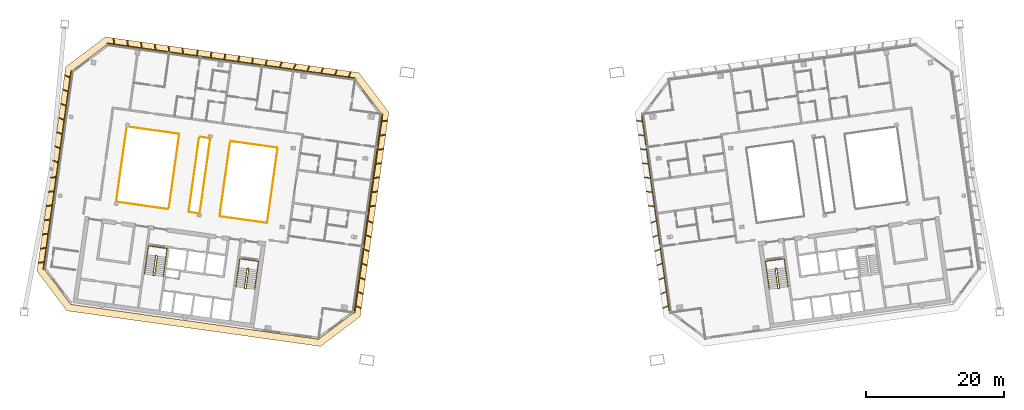
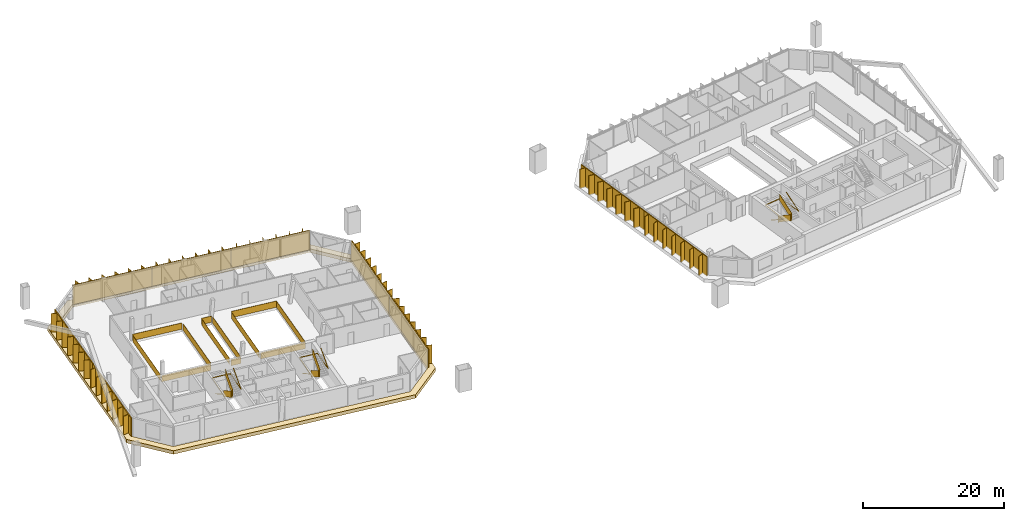
# One storey, part 18 of 19: 16 railings, 9 shading devices, 1 covering.
"""IFC4 building model written with IfcOpenShell, lengths in metres."""

from ifc_helpers import new_model, si_unit, direction, frame, origin, origin_2d, place, context, subcontext, project, spatial, polyline, rectangle, outline, extrude, material, layer, layer_set, type_object, element, save


model = new_model("IFC4")

# Units and contexts
model_context = context("Model", 3, precision=1e-05, world=origin(), true_north=direction((0.0, 1.0)))
body_context = subcontext(model_context, "Body", "Model", "MODEL_VIEW")
ifc_project = project(units=[si_unit("LENGTHUNIT", "METRE"), si_unit("AREAUNIT", "SQUARE_METRE"), si_unit("VOLUMEUNIT", "CUBIC_METRE"), si_unit("PLANEANGLEUNIT", "RADIAN"), si_unit("MASSUNIT", "GRAM", prefix="KILO")], contexts=[model_context])

# Site, building, storey
site_placement = place(None, origin())
site = spatial("IfcSite", under=ifc_project, at=site_placement, CompositionType="ELEMENT")
building_placement = place(site_placement, origin())
building = spatial("IfcBuilding", under=site, at=building_placement, Name="Mirante Cascada Hotel Towers", CompositionType="ELEMENT")
storey_placement = place(building_placement, frame((0.0, 0.0, 239.4)))
storey = spatial("IfcBuildingStorey", under=building, at=storey_placement, Name="L57", CompositionType="ELEMENT", Elevation=239.4)

# Railings
ifc_material_1 = material(Name="Toughened glass with stainless steel handrail", Category="steel")
railing_type_1 = type_object("IfcRailingType", Name="Atrium guard 1100 glass balustrade", PredefinedType="GUARDRAIL", material=ifc_material_1)
railing_1_placement = place(storey_placement, frame((-40.7189, 7.1811, 0.0)))
element("IfcRailing", 1, at=railing_1_placement, inside=storey, type_object=railing_type_1, Name="GUARD 1-L57-1", PredefinedType="GUARDRAIL", context=body_context, shape_type="SweptSolid", body=[
    extrude(rectangle(XDim=0.048, YDim=0.048, at=origin_2d()), frame((0.0, 0.0, 1.076), z_axis=(0.9902687, -0.1391684, 0.0), x_axis=(0.1391684, 0.9902687, 0.0)), (0.0, 0.0, 1.0), 6.8924),
    extrude(rectangle(XDim=0.02, YDim=1.052, at=origin_2d()), frame((0.0, 0.0, 0.526), z_axis=(0.9902687, -0.1391684, 0.0), x_axis=(0.1391684, 0.9902687, 0.0)), (0.0, 0.0, 1.0), 6.8924),
    extrude(rectangle(XDim=0.048, YDim=0.048, at=origin_2d()), frame((6.8253, -0.9592, 1.076), z_axis=(-0.1391733, -0.990268, 0.0), x_axis=(0.990268, -0.1391733, 0.0)), (0.0, 0.0, 1.0), 11.0),
    extrude(rectangle(XDim=0.02, YDim=1.052, at=origin_2d()), frame((6.8253, -0.9592, 0.526), z_axis=(-0.1391733, -0.990268, 0.0), x_axis=(0.990268, -0.1391733, 0.0)), (0.0, 0.0, 1.0), 11.0),
    extrude(rectangle(XDim=0.048, YDim=0.048, at=origin_2d()), frame((5.2944, -11.8521, 1.076), z_axis=(-0.9902687, 0.1391684, 0.0), x_axis=(-0.1391684, -0.9902687, 0.0)), (0.0, 0.0, 1.0), 6.8924),
    extrude(rectangle(XDim=0.02, YDim=1.052, at=origin_2d()), frame((5.2944, -11.8521, 0.526), z_axis=(-0.9902687, 0.1391684, 0.0), x_axis=(-0.1391684, -0.9902687, 0.0)), (0.0, 0.0, 1.0), 6.8924),
])
railing_2_placement = place(storey_placement, frame((-45.2207, -3.2943, 0.0)))
element("IfcRailing", 2, at=railing_2_placement, inside=storey, type_object=railing_type_1, Name="GUARD 1-L57-2", PredefinedType="GUARDRAIL", context=body_context, shape_type="SweptSolid", body=[
    extrude(rectangle(XDim=0.048, YDim=0.048, at=origin_2d()), frame((0.0, 0.0, 1.076), z_axis=(-0.9902679, 0.1391746, 0.0), x_axis=(-0.1391746, -0.9902679, 0.0)), (0.0, 0.0, 1.0), 1.5269),
    extrude(rectangle(XDim=0.02, YDim=1.052, at=origin_2d()), frame((0.0, 0.0, 0.526), z_axis=(-0.9902679, 0.1391746, 0.0), x_axis=(-0.1391746, -0.9902679, 0.0)), (0.0, 0.0, 1.0), 1.5269),
])
railing_3_placement = place(storey_placement, frame((-45.2018, 7.8112, 0.0)))
element("IfcRailing", 3, at=railing_3_placement, inside=storey, type_object=railing_type_1, Name="GUARD 1-L57-3", PredefinedType="GUARDRAIL", context=body_context, shape_type="SweptSolid", body=[
    extrude(rectangle(XDim=0.048, YDim=0.048, at=origin_2d()), frame((0.0, 0.0, 1.076), z_axis=(0.9902691, -0.1391655, 0.0), x_axis=(0.1391655, 0.9902691, 0.0)), (0.0, 0.0, 1.0), 1.527),
    extrude(rectangle(XDim=0.02, YDim=1.052, at=origin_2d()), frame((0.0, 0.0, 0.526), z_axis=(0.9902691, -0.1391655, 0.0), x_axis=(0.1391655, 0.9902691, 0.0)), (0.0, 0.0, 1.0), 1.527),
    extrude(rectangle(XDim=0.048, YDim=0.048, at=origin_2d()), frame((1.5121, -0.2125, 1.076), z_axis=(-1.0, 0.0, 0.0), x_axis=(0.0, -1.0, 0.0)), (0.0, 0.0, 1.0), 0.0001),
    extrude(rectangle(XDim=0.02, YDim=1.052, at=origin_2d()), frame((1.5121, -0.2125, 0.526), z_axis=(-1.0, 0.0, 0.0), x_axis=(0.0, -1.0, 0.0)), (0.0, 0.0, 1.0), 0.0001),
])
railing_4_placement = place(storey_placement, frame((-49.7035, -2.6643, 0.0)))
element("IfcRailing", 4, at=railing_4_placement, inside=storey, type_object=railing_type_1, Name="GUARD 1-L57-4", PredefinedType="GUARDRAIL", context=body_context, shape_type="SweptSolid", body=[
    extrude(rectangle(XDim=0.048, YDim=0.048, at=origin_2d()), frame((0.0, 0.0, 1.076), z_axis=(-0.9902667, 0.1391827, 0.0), x_axis=(-0.1391827, -0.9902667, 0.0)), (0.0, 0.0, 1.0), 7.5807),
    extrude(rectangle(XDim=0.02, YDim=1.052, at=origin_2d()), frame((0.0, 0.0, 0.526), z_axis=(-0.9902667, 0.1391827, 0.0), x_axis=(-0.1391827, -0.9902667, 0.0)), (0.0, 0.0, 1.0), 7.5807),
    extrude(rectangle(XDim=0.048, YDim=0.048, at=origin_2d()), frame((-7.5069, 1.0551, 1.076), z_axis=(0.9899495, -0.1414214, 0.0), x_axis=(0.1414214, 0.9899495, 0.0)), (0.0, 0.0, 1.0), 0.0269),
    extrude(rectangle(XDim=0.02, YDim=1.052, at=origin_2d()), frame((-7.5069, 1.0551, 0.526), z_axis=(0.9899495, -0.1414214, 0.0), x_axis=(0.1414214, 0.9899495, 0.0)), (0.0, 0.0, 1.0), 0.0269),
])
railing_5_placement = place(storey_placement, frame((-55.6529, 9.28, 0.0)))
element("IfcRailing", 5, at=railing_5_placement, inside=storey, type_object=railing_type_1, Name="GUARD 1-L57-5", PredefinedType="GUARDRAIL", context=body_context, shape_type="SweptSolid", body=[
    extrude(rectangle(XDim=0.048, YDim=0.048, at=origin_2d()), frame((0.0, 0.0, 1.076), z_axis=(-0.9904641, 0.1377713, 0.0), x_axis=(-0.1377713, -0.9904641, 0.0)), (0.0, 0.0, 1.0), 0.0269),
    extrude(rectangle(XDim=0.02, YDim=1.052, at=origin_2d()), frame((0.0, 0.0, 0.526), z_axis=(-0.9904641, 0.1377713, 0.0), x_axis=(-0.1377713, -0.9904641, 0.0)), (0.0, 0.0, 1.0), 0.0269),
    extrude(rectangle(XDim=0.048, YDim=0.048, at=origin_2d()), frame((-0.0266, 0.0037, 1.076), z_axis=(0.9902685, -0.1391697, 0.0), x_axis=(0.1391697, 0.9902685, 0.0)), (0.0, 0.0, 1.0), 7.5807),
    extrude(rectangle(XDim=0.02, YDim=1.052, at=origin_2d()), frame((-0.0266, 0.0037, 0.526), z_axis=(0.9902685, -0.1391697, 0.0), x_axis=(0.1391697, 0.9902685, 0.0)), (0.0, 0.0, 1.0), 7.5807),
])
railing_6_placement = place(storey_placement, frame((-55.7701, 8.998, 0.0)))
element("IfcRailing", 6, at=railing_6_placement, inside=storey, type_object=railing_type_1, Name="GUARD 1-L57-6", PredefinedType="GUARDRAIL", context=body_context, shape_type="SweptSolid", body=[
    extrude(rectangle(XDim=0.048, YDim=0.048, at=origin_2d()), frame((0.0, 0.0, 1.076), z_axis=(-0.1391776, -0.9902674, 0.0), x_axis=(0.9902674, -0.1391776, 0.0)), (0.0, 0.0, 1.0), 10.409),
    extrude(rectangle(XDim=0.02, YDim=1.052, at=origin_2d()), frame((0.0, 0.0, 0.526), z_axis=(-0.1391776, -0.9902674, 0.0), x_axis=(0.9902674, -0.1391776, 0.0)), (0.0, 0.0, 1.0), 10.409),
])
railing_7_placement = place(storey_placement, frame((-49.6138, -2.3783, 0.0)))
element("IfcRailing", 7, at=railing_7_placement, inside=storey, type_object=railing_type_1, Name="GUARD 1-L57-7", PredefinedType="GUARDRAIL", context=body_context, shape_type="SweptSolid", body=[
    extrude(rectangle(XDim=0.048, YDim=0.048, at=origin_2d()), frame((0.0, 0.0, 1.076), z_axis=(0.1391721, 0.9902682, 0.0), x_axis=(-0.9902682, 0.1391721, 0.0)), (0.0, 0.0, 1.0), 10.4087),
    extrude(rectangle(XDim=0.02, YDim=1.052, at=origin_2d()), frame((0.0, 0.0, 0.526), z_axis=(0.1391721, 0.9902682, 0.0), x_axis=(-0.9902682, 0.1391721, 0.0)), (0.0, 0.0, 1.0), 10.4087),
])
railing_8_placement = place(storey_placement, frame((-45.2915, 7.5252, 0.0)))
element("IfcRailing", 8, at=railing_8_placement, inside=storey, type_object=railing_type_1, Name="GUARD 1-L57-8", PredefinedType="GUARDRAIL", context=body_context, shape_type="SweptSolid", body=[
    extrude(rectangle(XDim=0.048, YDim=0.048, at=origin_2d()), frame((0.0, 0.0, 1.076), z_axis=(-0.1391721, -0.9902682, 0.0), x_axis=(0.9902682, -0.1391721, 0.0)), (0.0, 0.0, 1.0), 10.4087),
    extrude(rectangle(XDim=0.02, YDim=1.052, at=origin_2d()), frame((0.0, 0.0, 0.526), z_axis=(-0.1391721, -0.9902682, 0.0), x_axis=(0.9902682, -0.1391721, 0.0)), (0.0, 0.0, 1.0), 10.4087),
])
railing_9_placement = place(storey_placement, frame((-45.1309, -3.0084, 0.0)))
element("IfcRailing", 9, at=railing_9_placement, inside=storey, type_object=railing_type_1, Name="GUARD 1-L57-9", PredefinedType="GUARDRAIL", context=body_context, shape_type="SweptSolid", body=[
    extrude(rectangle(XDim=0.048, YDim=0.048, at=origin_2d()), frame((0.0, 0.0, 1.076), z_axis=(0.1391708, 0.9902684, 0.0), x_axis=(-0.9902684, 0.1391708, 0.0)), (0.0, 0.0, 1.0), 10.4088),
    extrude(rectangle(XDim=0.02, YDim=1.052, at=origin_2d()), frame((0.0, 0.0, 0.526), z_axis=(0.1391708, 0.9902684, 0.0), x_axis=(-0.9902684, 0.1391708, 0.0)), (0.0, 0.0, 1.0), 10.4088),
])
railing_10_placement = place(storey_placement, frame((-40.8087, 6.8952, 0.0)))
element("IfcRailing", 10, at=railing_10_placement, inside=storey, type_object=railing_type_1, Name="GUARD 1-L57-10", PredefinedType="GUARDRAIL", context=body_context, shape_type="SweptSolid", body=[
    extrude(rectangle(XDim=0.048, YDim=0.048, at=origin_2d()), frame((0.0, 0.0, 1.076), z_axis=(-0.1391721, -0.9902682, 0.0), x_axis=(0.9902682, -0.1391721, 0.0)), (0.0, 0.0, 1.0), 10.4087),
    extrude(rectangle(XDim=0.02, YDim=1.052, at=origin_2d()), frame((0.0, 0.0, 0.526), z_axis=(-0.1391721, -0.9902682, 0.0), x_axis=(0.9902682, -0.1391721, 0.0)), (0.0, 0.0, 1.0), 10.4087),
])

# Covering
ifc_material_2 = material(Name="Precast concrete C40/50 white", Category="concrete")
ifc_layer = layer(ifc_material_2, 0.6)
ifc_layer_set = layer_set([ifc_layer], Name="Precast concrete SUNSHADE band 1000x600")
covering_type = type_object("IfcCoveringType", Name="Precast concrete SUNSHADE band 1000x600", PredefinedType="CLADDING", material=ifc_layer_set)
covering_placement = place(storey_placement, frame((0.0, 0.0, -0.45)))
element("IfcCovering", 11, at=covering_placement, inside=storey, type_object=covering_type, Name="Precast concrete SUNSHADE band T1 L57", PredefinedType="CLADDING", context=body_context, shape_type="SweptSolid", body=[
    extrude(outline(polyline([(-68.7156, -11.6197), (-64.5643, 17.9185), (-58.8202, 22.247), (-22.137, 17.0915), (-17.8085, 11.3474), (-21.9599, -18.1908), (-27.704, -22.5192), (-64.3871, -17.3638), (-68.7156, -11.6197)]), holes=[polyline([(-18.8565, 11.0764), (-22.6864, 16.1589), (-58.5492, 21.199), (-63.6316, 17.3691), (-67.6677, -11.3487), (-63.8377, -16.4311), (-27.975, -21.4713), (-22.8925, -17.6414), (-18.8565, 11.0764)])]), origin(), (0.0, 0.0, 1.0), 0.6),
])

# Railings
ifc_material_3 = material(Name="Painted steel", Category="steel")
railing_type_2 = type_object("IfcRailingType", Name="Stair guard 1100 steel balustrade", PredefinedType="GUARDRAIL", material=ifc_material_3)
railing_11_placement = place(storey_placement, frame((-38.1178, -11.2603, 0.0)))
element("IfcRailing", 12, at=railing_11_placement, inside=storey, type_object=railing_type_2, Name="L57 ST1-A stair guard 1", PredefinedType="GUARDRAIL", context=body_context, shape_type="SweptSolid", body=[
    extrude(rectangle(XDim=0.048, YDim=0.048, at=origin_2d()), frame((0.0, 0.0, 1.076), z_axis=(-0.9903326, 0.1387133, 0.0), x_axis=(-0.1387133, -0.9903326, 0.0)), (0.0, 0.0, 1.0), 0.1499),
    extrude(rectangle(XDim=0.02, YDim=1.052, at=origin_2d()), frame((0.0, 0.0, 0.526), z_axis=(-0.9903326, 0.1387133, 0.0), x_axis=(-0.1387133, -0.9903326, 0.0)), (0.0, 0.0, 1.0), 0.1499),
    extrude(rectangle(XDim=0.048, YDim=0.048, at=origin_2d()), frame((-0.1485, 0.0208, 1.076), z_axis=(-0.7991505, -0.6011309, 0.0), x_axis=(0.6011309, -0.7991505, 0.0)), (0.0, 0.9254529, 0.3788627), 0.1866),
    extrude(rectangle(XDim=0.02, YDim=1.052, at=origin_2d()), frame((-0.1485, 0.0208, 0.526), z_axis=(-0.7991505, -0.6011309, 0.0), x_axis=(0.6011309, -0.7991505, 0.0)), (0.0, 0.9254529, 0.3788627), 0.1866),
    extrude(rectangle(XDim=0.048, YDim=0.048, at=origin_2d()), frame((-0.205, -0.0217, 1.2487), z_axis=(-0.139176, -0.9902677, 0.0), x_axis=(0.9902677, -0.139176, 0.0)), (0.0, 0.5250212, 0.8510891), 3.29),
    extrude(rectangle(XDim=0.02, YDim=1.052, at=origin_2d()), frame((-0.205, -0.0217, 0.6987), z_axis=(-0.139176, -0.9902677, 0.0), x_axis=(0.9902677, -0.139176, 0.0)), (0.0, 0.5250212, 0.8510891), 3.29),
    extrude(rectangle(XDim=0.048, YDim=0.048, at=origin_2d()), frame((-0.5947, -2.7945, 2.976), z_axis=(0.9270311, -0.3749843, 0.0), x_axis=(0.3749843, 0.9270311, 0.0)), (0.0, 0.0, 1.0), 0.2061),
    extrude(rectangle(XDim=0.02, YDim=1.052, at=origin_2d()), frame((-0.5947, -2.7945, 2.426), z_axis=(0.9270311, -0.3749843, 0.0), x_axis=(0.3749843, 0.9270311, 0.0)), (0.0, 0.0, 1.0), 0.2061),
    extrude(rectangle(XDim=0.048, YDim=0.048, at=origin_2d()), frame((-0.4036, -2.8718, 2.976), z_axis=(-0.9902408, 0.1393672, 0.0), x_axis=(-0.1393672, -0.9902408, 0.0)), (0.0, 0.0, 1.0), 0.15),
    extrude(rectangle(XDim=0.02, YDim=1.052, at=origin_2d()), frame((-0.4036, -2.8718, 2.426), z_axis=(-0.9902408, 0.1393672, 0.0), x_axis=(-0.1393672, -0.9902408, 0.0)), (0.0, 0.0, 1.0), 0.15),
    extrude(rectangle(XDim=0.048, YDim=0.048, at=origin_2d()), frame((-0.5521, -2.8509, 2.976), z_axis=(0.9944948, 0.1047858, 0.0), x_axis=(-0.1047858, 0.9944948, 0.0)), (0.0, 0.6422034, 0.7665343), 0.2689),
    extrude(rectangle(XDim=0.02, YDim=1.052, at=origin_2d()), frame((-0.5521, -2.8509, 2.426), z_axis=(0.9944948, 0.1047858, 0.0), x_axis=(-0.1047858, 0.9944948, 0.0)), (0.0, 0.6422034, 0.7665343), 0.2689),
    extrude(rectangle(XDim=0.048, YDim=0.048, at=origin_2d()), frame((-0.3471, -2.8293, 3.1487), z_axis=(0.139176, 0.9902677, 0.0), x_axis=(-0.9902677, 0.139176, 0.0)), (0.0, 0.5250212, 0.8510891), 3.29),
    extrude(rectangle(XDim=0.02, YDim=1.052, at=origin_2d()), frame((-0.3471, -2.8293, 2.5987), z_axis=(0.139176, 0.9902677, 0.0), x_axis=(-0.9902677, 0.139176, 0.0)), (0.0, 0.5250212, 0.8510891), 3.29),
])
railing_12_placement = place(storey_placement, frame((-51.3379, -9.4024, 0.0)))
element("IfcRailing", 13, at=railing_12_placement, inside=storey, type_object=railing_type_2, Name="L57 ST1-B stair guard 1", PredefinedType="GUARDRAIL", context=body_context, shape_type="SweptSolid", body=[
    extrude(rectangle(XDim=0.048, YDim=0.048, at=origin_2d()), frame((0.0, 0.0, 1.076), z_axis=(-0.9902408, 0.1393672, 0.0), x_axis=(-0.1393672, -0.9902408, 0.0)), (0.0, 0.0, 1.0), 0.15),
    extrude(rectangle(XDim=0.02, YDim=1.052, at=origin_2d()), frame((0.0, 0.0, 0.526), z_axis=(-0.9902408, 0.1393672, 0.0), x_axis=(-0.1393672, -0.9902408, 0.0)), (0.0, 0.0, 1.0), 0.15),
    extrude(rectangle(XDim=0.048, YDim=0.048, at=origin_2d()), frame((-0.1485, 0.0209, 1.076), z_axis=(-0.7984711, -0.6020331, 0.0), x_axis=(0.6020331, -0.7984711, 0.0)), (0.0, 0.9253398, 0.3791387), 0.1866),
    extrude(rectangle(XDim=0.02, YDim=1.052, at=origin_2d()), frame((-0.1485, 0.0209, 0.526), z_axis=(-0.7984711, -0.6020331, 0.0), x_axis=(0.6020331, -0.7984711, 0.0)), (0.0, 0.9253398, 0.3791387), 0.1866),
    extrude(rectangle(XDim=0.048, YDim=0.048, at=origin_2d()), frame((-0.205, -0.0217, 1.2487), z_axis=(-0.139181, -0.990267, 0.0), x_axis=(0.990267, -0.139181, 0.0)), (0.0, 0.5250347, 0.8510808), 3.2899),
    extrude(rectangle(XDim=0.02, YDim=1.052, at=origin_2d()), frame((-0.205, -0.0217, 0.6987), z_axis=(-0.139181, -0.990267, 0.0), x_axis=(0.990267, -0.139181, 0.0)), (0.0, 0.5250347, 0.8510808), 3.2899),
    extrude(rectangle(XDim=0.048, YDim=0.048, at=origin_2d()), frame((-0.5947, -2.7944, 2.976), z_axis=(0.9268624, -0.3754011, 0.0), x_axis=(0.3754011, 0.9268624, 0.0)), (0.0, 0.0, 1.0), 0.2062),
    extrude(rectangle(XDim=0.02, YDim=1.052, at=origin_2d()), frame((-0.5947, -2.7944, 2.426), z_axis=(0.9268624, -0.3754011, 0.0), x_axis=(0.3754011, 0.9268624, 0.0)), (0.0, 0.0, 1.0), 0.2062),
    extrude(rectangle(XDim=0.048, YDim=0.048, at=origin_2d()), frame((-0.4036, -2.8718, 2.976), z_axis=(-0.9902408, 0.1393672, 0.0), x_axis=(-0.1393672, -0.9902408, 0.0)), (0.0, 0.0, 1.0), 0.15),
    extrude(rectangle(XDim=0.02, YDim=1.052, at=origin_2d()), frame((-0.4036, -2.8718, 2.426), z_axis=(-0.9902408, 0.1393672, 0.0), x_axis=(-0.1393672, -0.9902408, 0.0)), (0.0, 0.0, 1.0), 0.15),
    extrude(rectangle(XDim=0.048, YDim=0.048, at=origin_2d()), frame((-0.5521, -2.8509, 2.976), z_axis=(0.9944441, 0.1052656, 0.0), x_axis=(-0.1052656, 0.9944441, 0.0)), (0.0, 0.6421842, 0.7665504), 0.2689),
    extrude(rectangle(XDim=0.02, YDim=1.052, at=origin_2d()), frame((-0.5521, -2.8509, 2.426), z_axis=(0.9944441, 0.1052656, 0.0), x_axis=(-0.1052656, 0.9944441, 0.0)), (0.0, 0.6421842, 0.7665504), 0.2689),
    extrude(rectangle(XDim=0.048, YDim=0.048, at=origin_2d()), frame((-0.3471, -2.8292, 3.1487), z_axis=(0.139181, 0.990267, 0.0), x_axis=(-0.990267, 0.139181, 0.0)), (0.0, 0.5250347, 0.8510808), 3.2899),
    extrude(rectangle(XDim=0.02, YDim=1.052, at=origin_2d()), frame((-0.3471, -2.8292, 2.5987), z_axis=(0.139181, 0.990267, 0.0), x_axis=(-0.990267, 0.139181, 0.0)), (0.0, 0.5250347, 0.8510808), 3.2899),
])
railing_13_placement = place(storey_placement, frame((38.2663, -11.2395, 0.0)))
element("IfcRailing", 14, at=railing_13_placement, inside=storey, type_object=railing_type_2, Name="L57 ST2-A stair guard 1", PredefinedType="GUARDRAIL", context=body_context, shape_type="SweptSolid", body=[
    extrude(rectangle(XDim=0.048, YDim=0.048, at=origin_2d()), frame((0.0, 0.0, 1.076), z_axis=(-0.9903326, -0.1387133, 0.0), x_axis=(0.1387133, -0.9903326, 0.0)), (0.0, 0.0, 1.0), 0.1499),
    extrude(rectangle(XDim=0.02, YDim=1.052, at=origin_2d()), frame((0.0, 0.0, 0.526), z_axis=(-0.9903326, -0.1387133, 0.0), x_axis=(0.1387133, -0.9903326, 0.0)), (0.0, 0.0, 1.0), 0.1499),
    extrude(rectangle(XDim=0.048, YDim=0.048, at=origin_2d()), frame((-0.1485, -0.0208, 1.076), z_axis=(-0.6020331, -0.7984711, 0.0), x_axis=(0.7984711, -0.6020331, 0.0)), (0.0, 0.9253398, 0.3791387), 0.1866),
    extrude(rectangle(XDim=0.02, YDim=1.052, at=origin_2d()), frame((-0.1485, -0.0208, 0.526), z_axis=(-0.6020331, -0.7984711, 0.0), x_axis=(0.7984711, -0.6020331, 0.0)), (0.0, 0.9253398, 0.3791387), 0.1866),
    extrude(rectangle(XDim=0.048, YDim=0.048, at=origin_2d()), frame((-0.1911, -0.0773, 1.2487), z_axis=(0.139176, -0.9902677, 0.0), x_axis=(0.9902677, 0.139176, 0.0)), (0.0, 0.5250212, 0.8510891), 3.29),
    extrude(rectangle(XDim=0.02, YDim=1.052, at=origin_2d()), frame((-0.1911, -0.0773, 0.6987), z_axis=(0.139176, -0.9902677, 0.0), x_axis=(0.9902677, 0.139176, 0.0)), (0.0, 0.5250212, 0.8510891), 3.29),
    extrude(rectangle(XDim=0.048, YDim=0.048, at=origin_2d()), frame((0.1986, -2.8501, 2.976), z_axis=(0.9944948, -0.1047858, 0.0), x_axis=(0.1047858, 0.9944948, 0.0)), (0.0, 0.0, 1.0), 0.2061),
    extrude(rectangle(XDim=0.02, YDim=1.052, at=origin_2d()), frame((0.1986, -2.8501, 2.426), z_axis=(0.9944948, -0.1047858, 0.0), x_axis=(0.1047858, 0.9944948, 0.0)), (0.0, 0.0, 1.0), 0.2061),
    extrude(rectangle(XDim=0.048, YDim=0.048, at=origin_2d()), frame((0.4036, -2.8717, 2.976), z_axis=(-0.9902408, -0.1393672, 0.0), x_axis=(0.1393672, -0.9902408, 0.0)), (0.0, 0.0, 1.0), 0.15),
    extrude(rectangle(XDim=0.02, YDim=1.052, at=origin_2d()), frame((0.4036, -2.8717, 2.426), z_axis=(-0.9902408, -0.1393672, 0.0), x_axis=(0.1393672, -0.9902408, 0.0)), (0.0, 0.0, 1.0), 0.15),
    extrude(rectangle(XDim=0.048, YDim=0.048, at=origin_2d()), frame((0.2551, -2.8926, 2.976), z_axis=(0.9270311, 0.3749843, 0.0), x_axis=(-0.3749843, 0.9270311, 0.0)), (0.0, 0.6421903, 0.7665452), 0.2689),
    extrude(rectangle(XDim=0.02, YDim=1.052, at=origin_2d()), frame((0.2551, -2.8926, 2.426), z_axis=(0.9270311, 0.3749843, 0.0), x_axis=(-0.3749843, 0.9270311, 0.0)), (0.0, 0.6421903, 0.7665452), 0.2689),
    extrude(rectangle(XDim=0.048, YDim=0.048, at=origin_2d()), frame((0.4462, -2.8153, 3.1487), z_axis=(-0.139176, 0.9902677, 0.0), x_axis=(-0.9902677, -0.139176, 0.0)), (0.0, 0.5250212, 0.8510891), 3.29),
    extrude(rectangle(XDim=0.02, YDim=1.052, at=origin_2d()), frame((0.4462, -2.8153, 2.5987), z_axis=(-0.139176, 0.9902677, 0.0), x_axis=(-0.9902677, -0.139176, 0.0)), (0.0, 0.5250212, 0.8510891), 3.29),
])
ifc_material_4 = material(Name="Painted steel", Category="steel")
railing_type_3 = type_object("IfcRailingType", Name="Stair handrail 900 steel tube", PredefinedType="HANDRAIL", material=ifc_material_4)
railing_14_placement = place(storey_placement, frame((-39.5606, -11.1081, 0.1727)))
element("IfcRailing", 15, at=railing_14_placement, inside=storey, type_object=railing_type_3, Name="L57 ST1-A stair handrail 1", PredefinedType="HANDRAIL", context=body_context, shape_type="SweptSolid", body=[
    extrude(rectangle(XDim=0.048, YDim=0.048, at=origin_2d()), frame((0.0, 0.0, 0.876), z_axis=(-0.139181, -0.990267, 0.0), x_axis=(0.990267, -0.139181, 0.0)), (0.0, 0.5250347, 0.8510808), 3.2899),
    extrude(rectangle(XDim=0.048, YDim=0.048, at=origin_2d()), frame((-0.3897, -2.7727, 2.6033), z_axis=(0.1391707, 0.9902684, 0.0), x_axis=(-0.9902684, 0.1391707, 0.0)), (0.0, 0.0420846, 0.999114), 4.1036),
    extrude(rectangle(XDim=0.048, YDim=0.048, at=origin_2d()), frame((0.1809, 1.2874, 2.776), z_axis=(0.9902691, -0.1391657, 0.0), x_axis=(0.1391657, 0.9902691, 0.0)), (0.0, 0.0, 1.0), 2.75),
    extrude(rectangle(XDim=0.048, YDim=0.048, at=origin_2d()), frame((2.9041, 0.9047, 2.776), z_axis=(-0.1391707, -0.9902684, 0.0), x_axis=(0.9902684, -0.1391707, 0.0)), (0.0, 0.0, 1.0), 4.1),
    extrude(rectangle(XDim=0.048, YDim=0.048, at=origin_2d()), frame((2.3335, -3.1554, 2.776), z_axis=(0.139181, 0.990267, 0.0), x_axis=(-0.990267, 0.139181, 0.0)), (0.0, 0.5250347, 0.8510808), 3.2899),
])
railing_15_placement = place(storey_placement, frame((-52.7807, -9.2501, 0.1727)))
element("IfcRailing", 16, at=railing_15_placement, inside=storey, type_object=railing_type_3, Name="L57 ST1-B stair handrail 1", PredefinedType="HANDRAIL", context=body_context, shape_type="SweptSolid", body=[
    extrude(rectangle(XDim=0.048, YDim=0.048, at=origin_2d()), frame((0.0, 0.0, 0.876), z_axis=(-0.139181, -0.990267, 0.0), x_axis=(0.990267, -0.139181, 0.0)), (0.0, 0.5250347, 0.8510808), 3.2899),
    extrude(rectangle(XDim=0.048, YDim=0.048, at=origin_2d()), frame((-0.3897, -2.7727, 2.6033), z_axis=(0.1391707, 0.9902684, 0.0), x_axis=(-0.9902684, 0.1391707, 0.0)), (0.0, 0.0420846, 0.999114), 4.1036),
    extrude(rectangle(XDim=0.048, YDim=0.048, at=origin_2d()), frame((0.1809, 1.2874, 2.776), z_axis=(0.9902641, -0.1392013, 0.0), x_axis=(0.1392013, 0.9902641, 0.0)), (0.0, 0.0, 1.0), 2.75),
    extrude(rectangle(XDim=0.048, YDim=0.048, at=origin_2d()), frame((2.9041, 0.9046, 2.776), z_axis=(-0.1391707, -0.9902684, 0.0), x_axis=(0.9902684, -0.1391707, 0.0)), (0.0, 0.0, 1.0), 4.1),
    extrude(rectangle(XDim=0.048, YDim=0.048, at=origin_2d()), frame((2.3335, -3.1555, 2.776), z_axis=(0.139176, 0.9902677, 0.0), x_axis=(-0.9902677, 0.139176, 0.0)), (0.0, 0.5250212, 0.8510891), 3.29),
])
railing_16_placement = place(storey_placement, frame((36.8374, -11.4908, 0.1727)))
element("IfcRailing", 17, at=railing_16_placement, inside=storey, type_object=railing_type_3, Name="L57 ST2-A stair handrail 1", PredefinedType="HANDRAIL", context=body_context, shape_type="SweptSolid", body=[
    extrude(rectangle(XDim=0.048, YDim=0.048, at=origin_2d()), frame((0.0, 0.0, 0.876), z_axis=(0.139181, -0.990267, 0.0), x_axis=(0.990267, 0.139181, 0.0)), (0.0, 0.5250347, 0.8510808), 3.2899),
    extrude(rectangle(XDim=0.048, YDim=0.048, at=origin_2d()), frame((0.3897, -2.7727, 2.6033), z_axis=(-0.1391707, 0.9902684, 0.0), x_axis=(-0.9902684, -0.1391707, 0.0)), (0.0, 0.0420846, 0.999114), 4.1036),
    extrude(rectangle(XDim=0.048, YDim=0.048, at=origin_2d()), frame((-0.1809, 1.2874, 2.776), z_axis=(0.9902691, 0.1391657, 0.0), x_axis=(-0.1391657, 0.9902691, 0.0)), (0.0, 0.0, 1.0), 2.75),
    extrude(rectangle(XDim=0.048, YDim=0.048, at=origin_2d()), frame((2.5423, 1.6701, 2.776), z_axis=(0.1391707, -0.9902684, 0.0), x_axis=(0.9902684, 0.1391707, 0.0)), (0.0, 0.0, 1.0), 4.1),
    extrude(rectangle(XDim=0.048, YDim=0.048, at=origin_2d()), frame((3.1129, -2.39, 2.776), z_axis=(-0.139181, 0.990267, 0.0), x_axis=(-0.990267, -0.139181, 0.0)), (0.0, 0.5250347, 0.8510808), 3.2899),
])

# Shading devices
ifc_material_5 = material(Name="White precast concrete C50/60 fin", Category="concrete")
shading_device_type = type_object("IfcShadingDeviceType", Name="Vertical fin set 4500x900", PredefinedType="USERDEFINED", material=ifc_material_5)
shading_device_1_placement = place(storey_placement, origin())
element("IfcShadingDevice", 18, at=shading_device_1_placement, inside=storey, type_object=shading_device_type, Name="FIN T1 L57 front 1", ObjectType="FIN", PredefinedType="USERDEFINED", context=body_context, shape_type="SweptSolid", body=[
    extrude(outline(polyline([(-47.6472, 20.6562), (-47.5425, 19.8036), (-46.574, 19.6675), (-46.5949, 19.519), (-58.5492, 21.199), (-58.5283, 21.3476), (-57.5864, 21.2152), (-57.6884, 22.0465), (-57.609, 22.0562), (-57.5044, 21.2037), (-55.594, 20.9352), (-55.6961, 21.7665), (-55.6167, 21.7762), (-55.512, 20.9237), (-53.6016, 20.6552), (-53.7037, 21.4865), (-53.6243, 21.4962), (-53.5196, 20.6437), (-51.6092, 20.3752), (-51.7113, 21.2065), (-51.6319, 21.2162), (-51.5272, 20.3637), (-49.6169, 20.0952), (-49.7189, 20.9264), (-49.6395, 20.9362), (-49.5348, 20.0836), (-47.6245, 19.8152), (-47.7266, 20.6464), (-47.6472, 20.6562)])), origin(), (0.0, 0.0, 1.0), 3.35),
])
shading_device_2_placement = place(storey_placement, origin())
element("IfcShadingDevice", 19, at=shading_device_2_placement, inside=storey, type_object=shading_device_type, Name="FIN T1 L57 front 2", ObjectType="FIN", PredefinedType="USERDEFINED", context=body_context, shape_type="SweptSolid", body=[
    extrude(outline(polyline([(-35.458, 18.9636), (-35.5763, 18.1219), (-34.6198, 17.9875), (-34.6406, 17.8389), (-46.5949, 19.519), (-46.574, 19.6675), (-45.6174, 19.5331), (-45.4991, 20.3748), (-45.4199, 20.3637), (-45.5382, 19.522), (-43.6251, 19.2531), (-43.5068, 20.0948), (-43.4276, 20.0837), (-43.5458, 19.2419), (-41.6327, 18.9731), (-41.5144, 19.8148), (-41.4352, 19.8037), (-41.5535, 18.9619), (-39.6403, 18.6931), (-39.522, 19.5348), (-39.4428, 19.5237), (-39.5611, 18.6819), (-37.6479, 18.413), (-37.5296, 19.2548), (-37.4504, 19.2436), (-37.5687, 18.4019), (-35.6556, 18.133), (-35.5373, 18.9748), (-35.458, 18.9636)])), origin(), (0.0, 0.0, 1.0), 3.35),
])
shading_device_3_placement = place(storey_placement, origin())
element("IfcShadingDevice", 20, at=shading_device_3_placement, inside=storey, type_object=shading_device_type, Name="FIN T1 L57 front 3", ObjectType="FIN", PredefinedType="USERDEFINED", context=body_context, shape_type="SweptSolid", body=[
    extrude(outline(polyline([(-23.2802, 17.2107), (-23.6074, 16.4398), (-22.6655, 16.3074), (-22.6864, 16.1589), (-34.6406, 17.8389), (-34.6198, 17.9875), (-33.6513, 17.8514), (-33.3157, 18.642), (-33.2421, 18.6108), (-33.5693, 17.8398), (-31.6589, 17.5713), (-31.3233, 18.362), (-31.2497, 18.3308), (-31.5769, 17.5598), (-29.6666, 17.2913), (-29.3309, 18.082), (-29.2573, 18.0508), (-29.5846, 17.2798), (-27.6742, 17.0113), (-27.3386, 17.802), (-27.2649, 17.7707), (-27.5922, 16.9998), (-25.6818, 16.7313), (-25.3462, 17.522), (-25.2726, 17.4907), (-25.5998, 16.7198), (-23.6894, 16.4513), (-23.3538, 17.242), (-23.2802, 17.2107)])), origin(), (0.0, 0.0, 1.0), 3.35),
])
shading_device_4_placement = place(storey_placement, origin())
element("IfcShadingDevice", 21, at=shading_device_4_placement, inside=storey, type_object=shading_device_type, Name="FIN T1 L57 inner 1", ObjectType="FIN", PredefinedType="USERDEFINED", context=body_context, shape_type="SweptSolid", body=[
    extrude(outline(polyline([(-20.5857, -2.3055), (-20.7259, -3.3034), (-20.8745, -3.2825), (-18.8565, 11.0764), (-18.7079, 11.0555), (-18.8444, 10.0841), (-18.0132, 10.1862), (-18.0034, 10.1068), (-18.856, 10.0021), (-19.1327, 8.0329), (-18.3014, 8.1349), (-18.2917, 8.0555), (-19.1443, 7.9509), (-19.421, 5.9816), (-18.5897, 6.0837), (-18.58, 6.0043), (-19.4325, 5.8996), (-19.7093, 3.9303), (-18.878, 4.0324), (-18.8683, 3.953), (-19.7208, 3.8483), (-19.9976, 1.8791), (-19.1663, 1.9811), (-19.1566, 1.9017), (-20.0091, 1.797), (-20.2859, -0.1722), (-19.4546, -0.0701), (-19.4448, -0.1495), (-20.2974, -0.2542), (-20.5742, -2.2235), (-19.7429, -2.1214), (-19.7331, -2.2008), (-20.5857, -2.3055)])), origin(), (0.0, 0.0, 1.0), 3.35),
])
shading_device_5_placement = place(storey_placement, origin())
element("IfcShadingDevice", 22, at=shading_device_5_placement, inside=storey, type_object=shading_device_type, Name="FIN T1 L57 inner 2", ObjectType="FIN", PredefinedType="USERDEFINED", context=body_context, shape_type="SweptSolid", body=[
    extrude(outline(polyline([(-22.6074, -16.6909), (-22.7439, -17.6623), (-22.8925, -17.6414), (-20.8745, -3.2825), (-20.7259, -3.3034), (-20.8662, -4.3013), (-20.0755, -4.6369), (-20.1068, -4.7105), (-20.8777, -4.3833), (-21.1545, -6.3525), (-20.3638, -6.6882), (-20.3951, -6.7618), (-21.166, -6.4346), (-21.4428, -8.4038), (-20.6521, -8.7394), (-20.6833, -8.8131), (-21.4543, -8.4858), (-21.731, -10.4551), (-20.9404, -10.7907), (-20.9716, -10.8643), (-21.7426, -10.5371), (-22.0193, -12.5064), (-21.2287, -12.842), (-21.2599, -12.9156), (-22.0309, -12.5884), (-22.3076, -14.5576), (-21.5169, -14.8932), (-21.5482, -14.9669), (-22.3191, -14.6396), (-22.5959, -16.6089), (-21.8052, -16.9445), (-21.8365, -17.0182), (-22.6074, -16.6909)])), origin(), (0.0, 0.0, 1.0), 3.35),
])
shading_device_6_placement = place(storey_placement, origin())
element("IfcShadingDevice", 23, at=shading_device_6_placement, inside=storey, type_object=shading_device_type, Name="FIN T1 L57 outer 1", ObjectType="FIN", PredefinedType="USERDEFINED", context=body_context, shape_type="SweptSolid", body=[
    extrude(outline(polyline([(-67.6682, -10.2744), (-67.3914, -8.3052), (-68.2227, -8.4072), (-68.2324, -8.3278), (-67.3799, -8.2231), (-67.1031, -6.2539), (-67.9344, -6.3559), (-67.9441, -6.2765), (-67.0916, -6.1719), (-66.8148, -4.2026), (-67.6461, -4.3047), (-67.6558, -4.2253), (-66.8033, -4.1206), (-66.5265, -2.1513), (-67.3578, -2.2534), (-67.3676, -2.174), (-66.515, -2.0693), (-66.2382, -0.1001), (-67.0695, -0.2021), (-67.0793, -0.1227), (-66.2267, -0.0181), (-65.95, 1.9512), (-66.7812, 1.8491), (-66.791, 1.9285), (-65.9384, 2.0332), (-65.7982, 3.0311), (-65.6497, 3.0102), (-67.6677, -11.3487), (-67.8162, -11.3278), (-67.6797, -10.3564), (-68.511, -10.4585), (-68.5207, -10.3791), (-67.6682, -10.2744)])), origin(), (0.0, 0.0, 1.0), 3.35),
])
shading_device_7_placement = place(storey_placement, origin())
element("IfcShadingDevice", 24, at=shading_device_7_placement, inside=storey, type_object=shading_device_type, Name="FIN T1 L57 outer 2", ObjectType="FIN", PredefinedType="USERDEFINED", context=body_context, shape_type="SweptSolid", body=[
    extrude(outline(polyline([(-65.6464, 4.111), (-65.3697, 6.0803), (-66.1603, 6.4159), (-66.1291, 6.4895), (-65.3581, 6.1623), (-65.0814, 8.1315), (-65.872, 8.4672), (-65.8408, 8.5408), (-65.0698, 8.2136), (-64.7931, 10.1828), (-65.5838, 10.5184), (-65.5525, 10.5921), (-64.7816, 10.2648), (-64.5048, 12.2341), (-65.2955, 12.5697), (-65.2642, 12.6433), (-64.4933, 12.3161), (-64.2165, 14.2853), (-65.0072, 14.621), (-64.9759, 14.6946), (-64.205, 14.3674), (-63.9282, 16.3366), (-64.7189, 16.6722), (-64.6876, 16.7459), (-63.9167, 16.4186), (-63.7802, 17.39), (-63.6316, 17.3691), (-65.6497, 3.0102), (-65.7982, 3.0311), (-65.6579, 4.029), (-66.4486, 4.3646), (-66.4174, 4.4383), (-65.6464, 4.111)])), origin(), (0.0, 0.0, 1.0), 3.35),
])
shading_device_8_placement = place(storey_placement, origin())
element("IfcShadingDevice", 25, at=shading_device_8_placement, inside=storey, type_object=shading_device_type, Name="FIN T2 L57 inner 1", ObjectType="FIN", PredefinedType="USERDEFINED", context=body_context, shape_type="SweptSolid", body=[
    extrude(outline(polyline([(19.7429, -2.1214), (20.5742, -2.2235), (20.2974, -0.2542), (19.4448, -0.1495), (19.4546, -0.0701), (20.2859, -0.1722), (20.0091, 1.797), (19.1566, 1.9017), (19.1663, 1.9811), (19.9976, 1.8791), (19.7208, 3.8483), (18.8683, 3.953), (18.878, 4.0324), (19.7093, 3.9303), (19.4325, 5.8996), (18.58, 6.0043), (18.5897, 6.0837), (19.421, 5.9816), (19.1443, 7.9509), (18.2917, 8.0555), (18.3014, 8.1349), (19.1327, 8.0329), (18.856, 10.0021), (18.0034, 10.1068), (18.0132, 10.1862), (18.8444, 10.0841), (18.7079, 11.0555), (18.8565, 11.0764), (20.8745, -3.2825), (20.7259, -3.3034), (20.5857, -2.3055), (19.7331, -2.2008), (19.7429, -2.1214)])), origin(), (0.0, 0.0, 1.0), 3.35),
])
shading_device_9_placement = place(storey_placement, origin())
element("IfcShadingDevice", 26, at=shading_device_9_placement, inside=storey, type_object=shading_device_type, Name="FIN T2 L57 inner 2", ObjectType="FIN", PredefinedType="USERDEFINED", context=body_context, shape_type="SweptSolid", body=[
    extrude(outline(polyline([(21.8052, -16.9445), (22.5959, -16.6089), (22.3191, -14.6396), (21.5482, -14.9669), (21.5169, -14.8932), (22.3076, -14.5576), (22.0309, -12.5884), (21.2599, -12.9156), (21.2287, -12.842), (22.0193, -12.5064), (21.7426, -10.5371), (20.9716, -10.8643), (20.9404, -10.7907), (21.731, -10.4551), (21.4543, -8.4858), (20.6833, -8.8131), (20.6521, -8.7394), (21.4428, -8.4038), (21.166, -6.4346), (20.3951, -6.7618), (20.3638, -6.6882), (21.1545, -6.3525), (20.8777, -4.3833), (20.1068, -4.7105), (20.0755, -4.6369), (20.8662, -4.3013), (20.7259, -3.3034), (20.8745, -3.2825), (22.8925, -17.6414), (22.7439, -17.6623), (22.6074, -16.6909), (21.8365, -17.0182), (21.8052, -16.9445)])), origin(), (0.0, 0.0, 1.0), 3.35),
])

save(model, "model.ifc")
